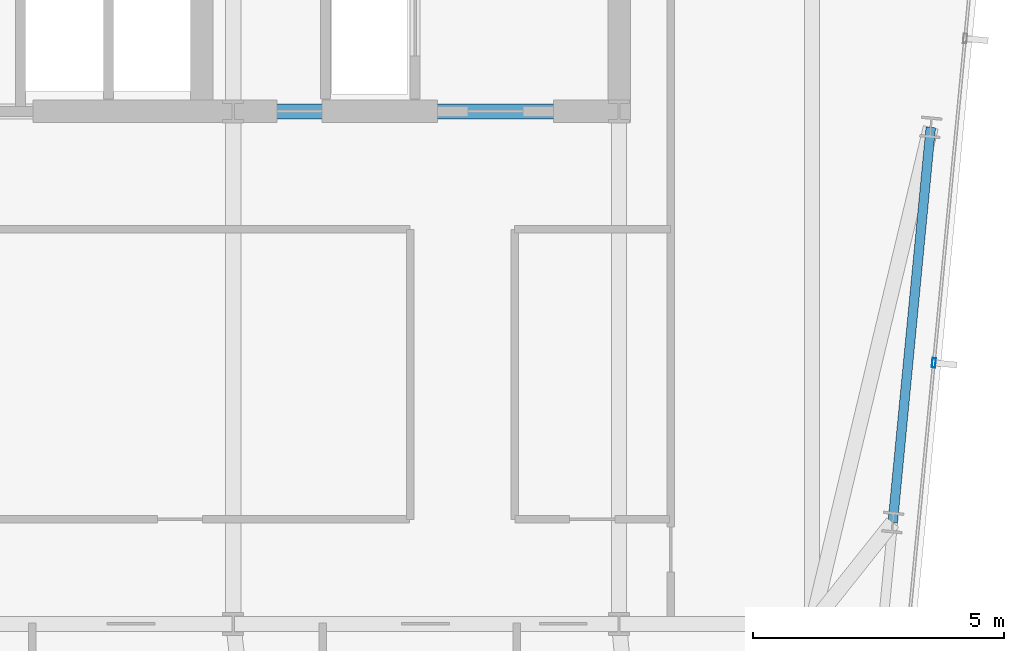
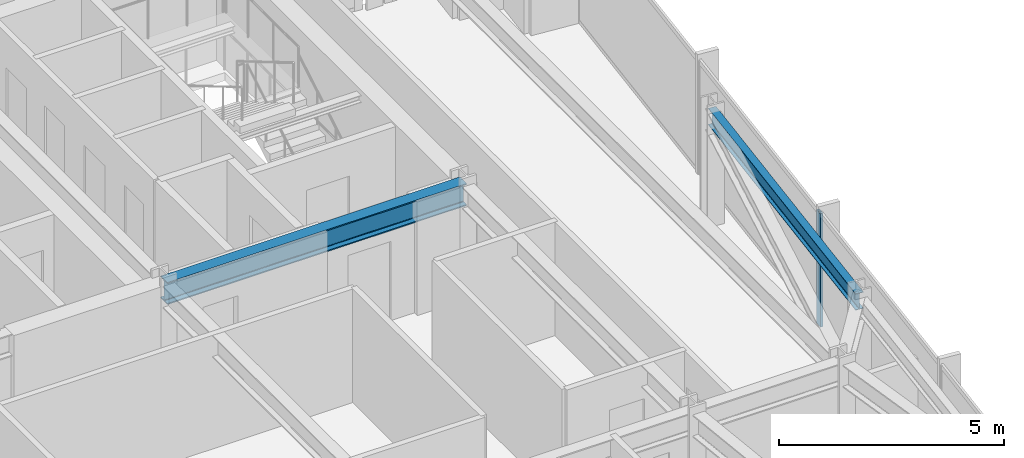
# One storey, part 18 of 37: 2 beams, 1 member, 1 element without a shape of its own.
"""IFC4 building model written with IfcOpenShell, lengths in metres."""

from ifc_helpers import new_model, si_unit, direction, frame, origin, origin_2d, place, context, subcontext, project, spatial, hollow_rectangle, i_section, extrude, material, material_profile, profile_set, type_object, element, aggregate, save


model = new_model("IFC4")

# Units and contexts
model_context = context("Model", 3, precision=1e-05, world=origin(), true_north=direction((0.0, 1.0)))
body_context = subcontext(model_context, "Body", "Model", "MODEL_VIEW")
ifc_project = project(units=[si_unit("LENGTHUNIT", "METRE"), si_unit("AREAUNIT", "SQUARE_METRE"), si_unit("VOLUMEUNIT", "CUBIC_METRE"), si_unit("PLANEANGLEUNIT", "RADIAN"), si_unit("MASSUNIT", "GRAM", prefix="KILO")], contexts=[model_context])

# Site, building, storey
site_placement = place(None, origin())
site = spatial("IfcSite", under=ifc_project, at=site_placement, CompositionType="ELEMENT")
building_placement = place(site_placement, origin())
building = spatial("IfcBuilding", under=site, at=building_placement, Name="Yelkora Congress Tower", CompositionType="ELEMENT")
storey_placement = place(building_placement, frame((0.0, 0.0, 162.199951171875)))
storey = spatial("IfcBuildingStorey", under=building, at=storey_placement, Name="L44", CompositionType="ELEMENT", Elevation=162.199951171875)

# Beams
ifc_material_1 = material(Name="Steel S355J2", Category="steel")
ifc_material_profile_1 = material_profile(ifc_material_1, i_section(OverallWidth=0.300048828125, OverallDepth=0.60009765625, WebThickness=0.015380859375, FlangeThickness=0.030029296875, FilletRadius=0.027099609375, at=origin_2d()), Name="HEB 600")
ifc_profile_set_1 = profile_set([ifc_material_profile_1], Name="Steel S355J2")
beam_type_1 = type_object("IfcBeamType", Name="BM-GIRD-HEB600", PredefinedType="BEAM", material=ifc_profile_set_1)
beam_1_placement = place(storey_placement, frame((46.080078125, 35.39990234375, 2.780029296875), z_axis=(1.0, 0.0, 0.0), x_axis=(0.0, 1.0, 0.0)))
element("IfcBeam", 1, at=beam_1_placement, inside=storey, type_object=beam_type_1, Name="L44 Core South Girder 4", PredefinedType="BEAM", context=body_context, shape_type="SweptSolid", body=[
    extrude(i_section(OverallWidth=0.300048828125, OverallDepth=0.60009765625, WebThickness=0.015380859375, FlangeThickness=0.030029296875, FilletRadius=0.027099609375, at=origin_2d()), origin(), (0.0, 0.0, 1.0), 7.679931640625),
])
ifc_material_profile_2 = material_profile(ifc_material_1, i_section(OverallWidth=0.18994140625, OverallDepth=0.449951171875, WebThickness=0.009521484375, FlangeThickness=0.0146484375, FilletRadius=0.02099609375, at=origin_2d()), Name="IPE 450")
ifc_profile_set_2 = profile_set([ifc_material_profile_2], Name="Steel S355J2")
beam_type_2 = type_object("IfcBeamType", Name="BM-SPAN-IPE450", PredefinedType="SPANDREL", material=ifc_profile_set_2)
beam_2_placement = place(storey_placement, frame((59.206298828125, 27.217529296875, 2.85498046875), z_axis=(0.095834301903, 0.99539730087, 0.0), x_axis=(-0.99539730087, 0.095834301903, 0.0)))
element("IfcBeam", 2, at=beam_2_placement, inside=storey, type_object=beam_type_2, Name="L44 Perimeter Beam 11", PredefinedType="SPANDREL", context=body_context, shape_type="SweptSolid", body=[
    extrude(i_section(OverallWidth=0.18994140625, OverallDepth=0.449951171875, WebThickness=0.009521484375, FlangeThickness=0.0146484375, FilletRadius=0.02099609375, at=origin_2d()), origin(), (0.0, 0.0, 1.0), 7.89990234375),
])

# Curtain wall, member
ifc_material_2 = material(Name="Anodised aluminium and insulated glass", Category="aluminium")
curtain_wall_type = type_object("IfcCurtainWallType", Name="CW-SYS-B3", PredefinedType="NOTDEFINED", material=ifc_material_2)
curtain_wall_placement = place(storey_placement, origin())
curtain_wall = element("IfcCurtainWall", 3, at=curtain_wall_placement, inside=storey, type_object=curtain_wall_type, Name="L44 Unitised Curtain Wall 15", PredefinedType="NOTDEFINED")
ifc_material_3 = material(Name="Anodised aluminium 6063-T6", Category="aluminium")
ifc_material_profile_3 = material_profile(ifc_material_3, hollow_rectangle(XDim=0.070068359375, YDim=0.18994140625, WallThickness=0.00390625, at=origin_2d()), Name="ALU 70x190x4")
ifc_profile_set_3 = profile_set([ifc_material_profile_3], Name="Anodised aluminium 6063-T6")
member_type = type_object("IfcMemberType", Name="MEM-ML-B3", PredefinedType="MULLION", material=ifc_profile_set_3)
member_placement = place(storey_placement, frame((60.024658203125, 30.395751953125, 0.0), z_axis=(0.0, 0.0, 1.0), x_axis=(0.995396565076, -0.095841944023, 0.0)))
member = element("IfcMember", 4, at=member_placement, type_object=member_type, Name="CW-B3 mullion 3", PredefinedType="MULLION", context=body_context, shape_type="SweptSolid", body=[
    extrude(hollow_rectangle(XDim=0.070068359375, YDim=0.18994140625, WallThickness=0.00390625, at=origin_2d()), origin(), (0.0, 0.0, 1.0), 3.080078125),
])
aggregate(curtain_wall, [member])

save(model, "model.ifc")
